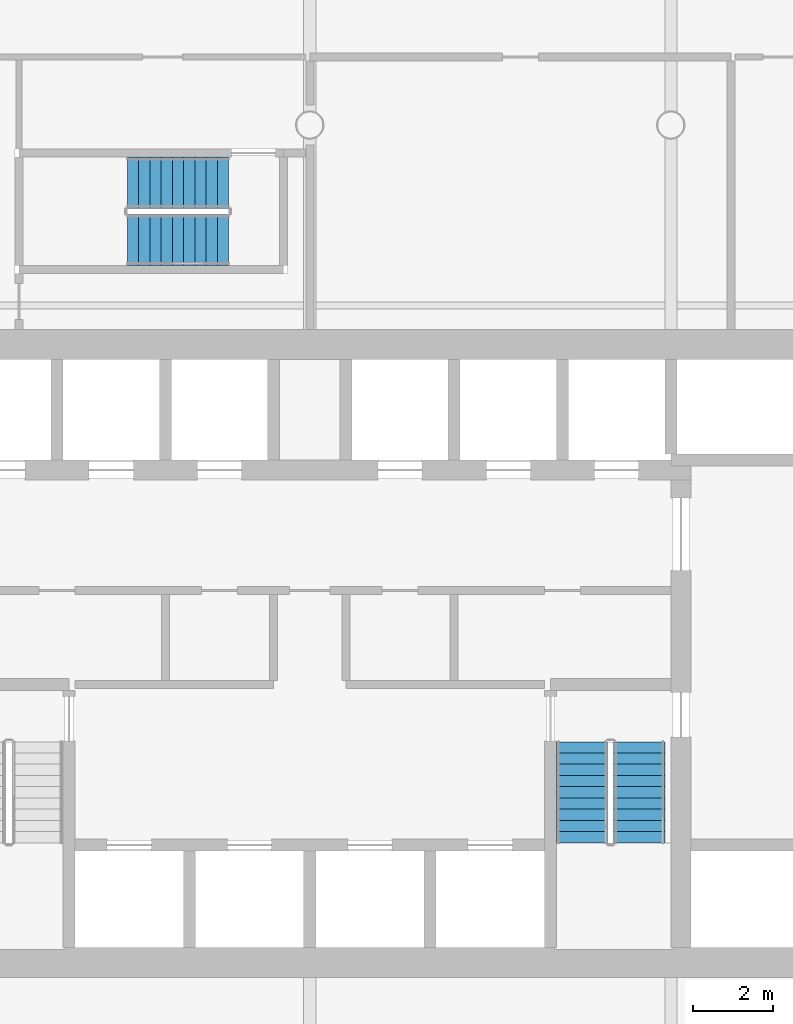
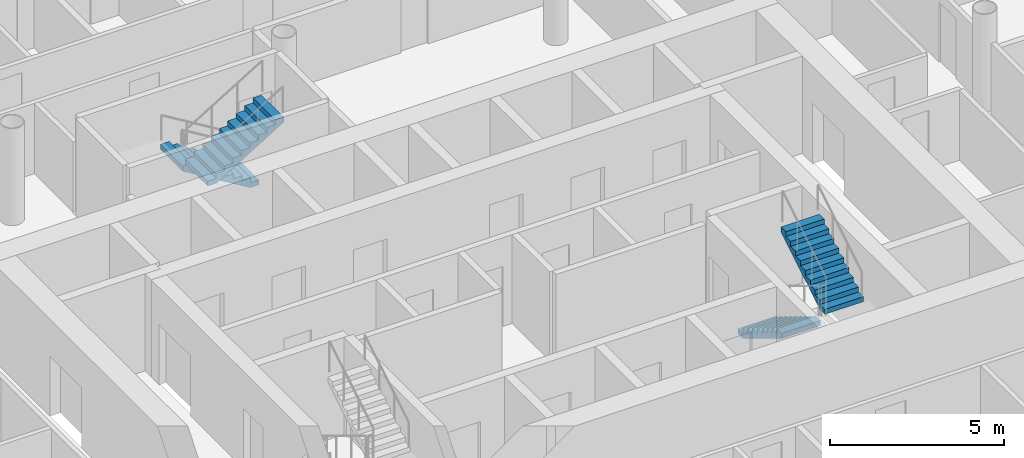
# One storey, part 16 of 21: 4 stair flights, 2 elements without a shape of their own.
"""IFC4 building model written with IfcOpenShell, lengths in metres."""

from ifc_helpers import new_model, si_unit, direction, frame, origin, place, context, subcontext, project, spatial, polyline, outline, extrude, material, type_object, element, aggregate, save


model = new_model("IFC4")

# Units and contexts
model_context = context("Model", 3, precision=1e-05, world=origin(), true_north=direction((0.0, 1.0)))
body_context = subcontext(model_context, "Body", "Model", "MODEL_VIEW")
ifc_project = project(units=[si_unit("LENGTHUNIT", "METRE"), si_unit("AREAUNIT", "SQUARE_METRE"), si_unit("VOLUMEUNIT", "CUBIC_METRE"), si_unit("PLANEANGLEUNIT", "RADIAN"), si_unit("MASSUNIT", "GRAM", prefix="KILO")], contexts=[model_context])

# Site, building, storey
site_placement = place(None, origin())
site = spatial("IfcSite", under=ifc_project, at=site_placement, CompositionType="ELEMENT")
building_placement = place(site_placement, origin())
building = spatial("IfcBuilding", under=site, at=building_placement, Name="Tskaro Facet Tower", CompositionType="ELEMENT")
storey_placement = place(building_placement, frame((0.0, 0.0, 135.10009765625)))
storey = spatial("IfcBuildingStorey", under=building, at=storey_placement, Name="L32", CompositionType="ELEMENT", Elevation=135.10009765625)

# Stair, stair flights
ifc_material = material(Name="Concrete C40/50", Category="concrete")
stair_type = type_object("IfcStairType", Name="ST-TWR", PredefinedType="HALF_TURN_STAIR", material=ifc_material)
stair_1_placement = place(storey_placement, origin())
stair_1 = element("IfcStair", 1, at=stair_1_placement, inside=storey, type_object=stair_type, Name="L32 Exit stair 2", PredefinedType="HALF_TURN_STAIR")
stair_flight_type = type_object("IfcStairFlightType", Name="SFL-RC", PredefinedType="STRAIGHT", material=ifc_material)
stair_flight_1_placement = place(storey_placement, frame((6.78759765625, -6.375, 0.0), z_axis=(0.0, 0.0, 1.0), x_axis=(0.0, -1.0, 0.0)))
stair_flight_1 = element("IfcStairFlight", 2, at=stair_flight_1_placement, type_object=stair_flight_type, Name="ST-2 flight 1", NumberOfRisers=10, NumberOfTreads=9, PredefinedType="STRAIGHT", RiserHeight=0.17, TreadLength=0.28, context=body_context, shape_type="SweptSolid", body=[
    extrude(outline(polyline([(0.0, 0.0), (0.0, 0.169921875), (0.280029296875, 0.169921875), (0.280029296875, 0.340087890625), (0.56005859375, 0.340087890625), (0.56005859375, 0.510009765625), (0.840087890625, 0.510009765625), (0.840087890625, 0.679931640625), (1.1201171875, 0.679931640625), (1.1201171875, 0.85009765625), (1.39990234375, 0.85009765625), (1.39990234375, 1.02001953125), (1.679931640625, 1.02001953125), (1.679931640625, 1.18994140625), (1.9599609375, 1.18994140625), (1.9599609375, 1.360107421875), (2.239990234375, 1.360107421875), (2.239990234375, 1.530029296875), (2.52001953125, 1.530029296875), (2.52001953125, 1.699951171875), (2.52001953125, 1.354736328125), (0.288818359375, 0.0), (0.0, 0.0)])), frame((0.0, 0.637451171875, 0.0), z_axis=(0.0, -1.0, 0.0), x_axis=(1.0, 0.0, 0.0)), (0.0, 0.0, 1.0), 1.27490234375),
])
stair_flight_2_placement = place(storey_placement, frame((8.21240234375, -8.89501953125, 1.699951171875), z_axis=(0.0, 0.0, 1.0), x_axis=(0.0, 1.0, 0.0)))
stair_flight_2 = element("IfcStairFlight", 3, at=stair_flight_2_placement, type_object=stair_flight_type, Name="ST-2 flight 2", NumberOfRisers=10, NumberOfTreads=9, PredefinedType="STRAIGHT", RiserHeight=0.17, TreadLength=0.28, context=body_context, shape_type="SweptSolid", body=[
    extrude(outline(polyline([(0.0, 0.0), (0.0, 0.169921875), (0.280029296875, 0.169921875), (0.280029296875, 0.340087890625), (0.56005859375, 0.340087890625), (0.56005859375, 0.510009765625), (0.840087890625, 0.510009765625), (0.840087890625, 0.679931640625), (1.1201171875, 0.679931640625), (1.1201171875, 0.85009765625), (1.39990234375, 0.85009765625), (1.39990234375, 1.02001953125), (1.679931640625, 1.02001953125), (1.679931640625, 1.18994140625), (1.9599609375, 1.18994140625), (1.9599609375, 1.360107421875), (2.239990234375, 1.360107421875), (2.239990234375, 1.530029296875), (2.52001953125, 1.530029296875), (2.52001953125, 1.699951171875), (2.52001953125, 1.354736328125), (0.288818359375, 0.0), (0.0, 0.0)])), frame((0.0, 0.637451171875, 0.0), z_axis=(0.0, -1.0, 0.0), x_axis=(1.0, 0.0, 0.0)), (0.0, 0.0, 1.0), 1.27490234375),
])
aggregate(stair_1, [stair_flight_1, stair_flight_2])

stair_2_placement = place(storey_placement, origin())
stair_2 = element("IfcStair", 4, at=stair_2_placement, inside=storey, type_object=stair_type, Name="L32 Exit stair 3", PredefinedType="HALF_TURN_STAIR")
stair_flight_3_placement = place(storey_placement, frame((-2.02490234375, 7.5625, 0.0), z_axis=(0.0, 0.0, 1.0), x_axis=(-1.0, 0.0, 0.0)))
stair_flight_3 = element("IfcStairFlight", 5, at=stair_flight_3_placement, type_object=stair_flight_type, Name="ST-3 flight 1", NumberOfRisers=10, NumberOfTreads=9, PredefinedType="STRAIGHT", RiserHeight=0.17, TreadLength=0.28, context=body_context, shape_type="SweptSolid", body=[
    extrude(outline(polyline([(0.0, 0.0), (0.0, 0.169921875), (0.280029296875, 0.169921875), (0.280029296875, 0.340087890625), (0.56005859375, 0.340087890625), (0.56005859375, 0.510009765625), (0.840087890625, 0.510009765625), (0.840087890625, 0.679931640625), (1.1201171875, 0.679931640625), (1.1201171875, 0.85009765625), (1.39990234375, 0.85009765625), (1.39990234375, 1.02001953125), (1.679931640625, 1.02001953125), (1.679931640625, 1.18994140625), (1.9599609375, 1.18994140625), (1.9599609375, 1.360107421875), (2.239990234375, 1.360107421875), (2.239990234375, 1.530029296875), (2.52001953125, 1.530029296875), (2.52001953125, 1.699951171875), (2.52001953125, 1.354736328125), (0.288818359375, 0.0), (0.0, 0.0)])), frame((0.0, 0.637451171875, 0.0), z_axis=(0.0, -1.0, 0.0), x_axis=(1.0, 0.0, 0.0)), (0.0, 0.0, 1.0), 1.27490234375),
])
stair_flight_4_placement = place(storey_placement, frame((-4.544921875, 6.137451171875, 1.699951171875), z_axis=(0.0, 0.0, 1.0), x_axis=(1.0, 0.0, 0.0)))
stair_flight_4 = element("IfcStairFlight", 6, at=stair_flight_4_placement, type_object=stair_flight_type, Name="ST-3 flight 2", NumberOfRisers=10, NumberOfTreads=9, PredefinedType="STRAIGHT", RiserHeight=0.17, TreadLength=0.28, context=body_context, shape_type="SweptSolid", body=[
    extrude(outline(polyline([(0.0, 0.0), (0.0, 0.169921875), (0.280029296875, 0.169921875), (0.280029296875, 0.340087890625), (0.56005859375, 0.340087890625), (0.56005859375, 0.510009765625), (0.840087890625, 0.510009765625), (0.840087890625, 0.679931640625), (1.1201171875, 0.679931640625), (1.1201171875, 0.85009765625), (1.39990234375, 0.85009765625), (1.39990234375, 1.02001953125), (1.679931640625, 1.02001953125), (1.679931640625, 1.18994140625), (1.9599609375, 1.18994140625), (1.9599609375, 1.360107421875), (2.239990234375, 1.360107421875), (2.239990234375, 1.530029296875), (2.52001953125, 1.530029296875), (2.52001953125, 1.699951171875), (2.52001953125, 1.354736328125), (0.288818359375, 0.0), (0.0, 0.0)])), frame((0.0, 0.637451171875, 0.0), z_axis=(0.0, -1.0, 0.0), x_axis=(1.0, 0.0, 0.0)), (0.0, 0.0, 1.0), 1.27490234375),
])
aggregate(stair_2, [stair_flight_3, stair_flight_4])

save(model, "model.ifc")
